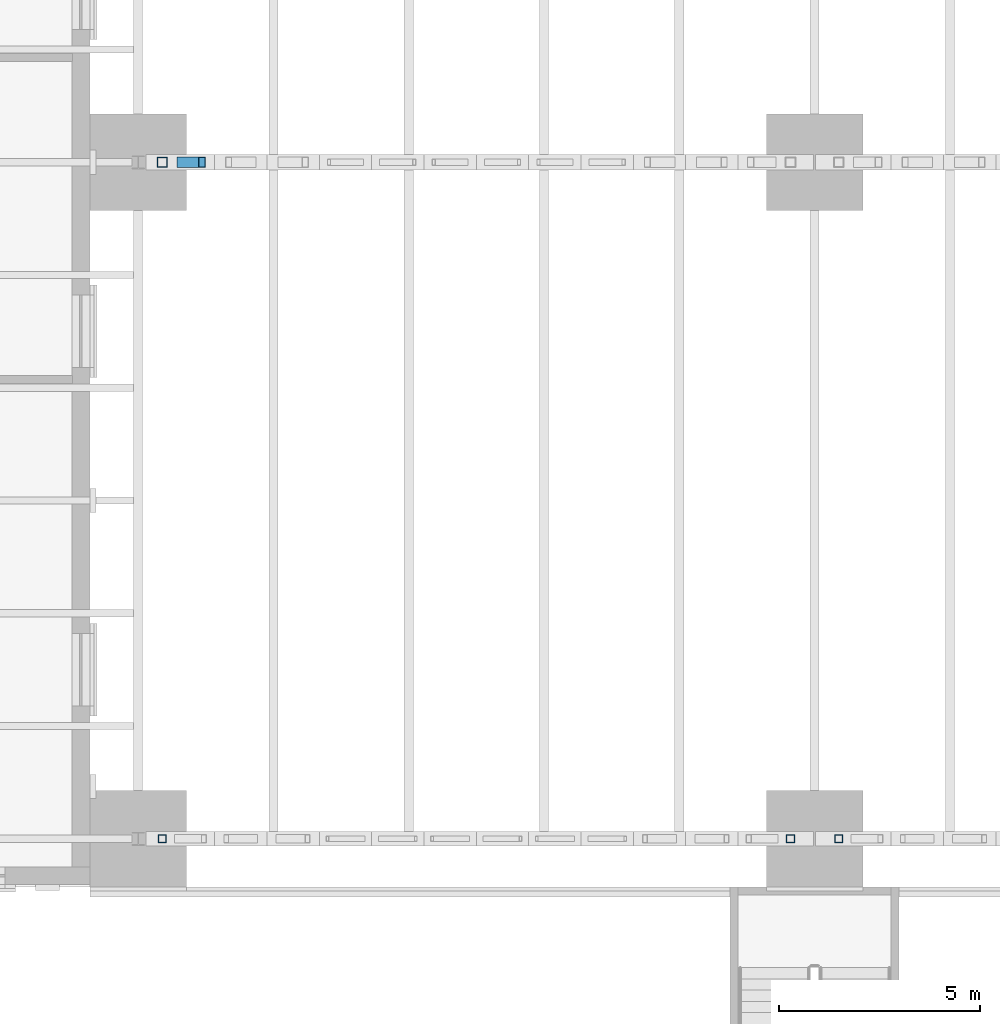
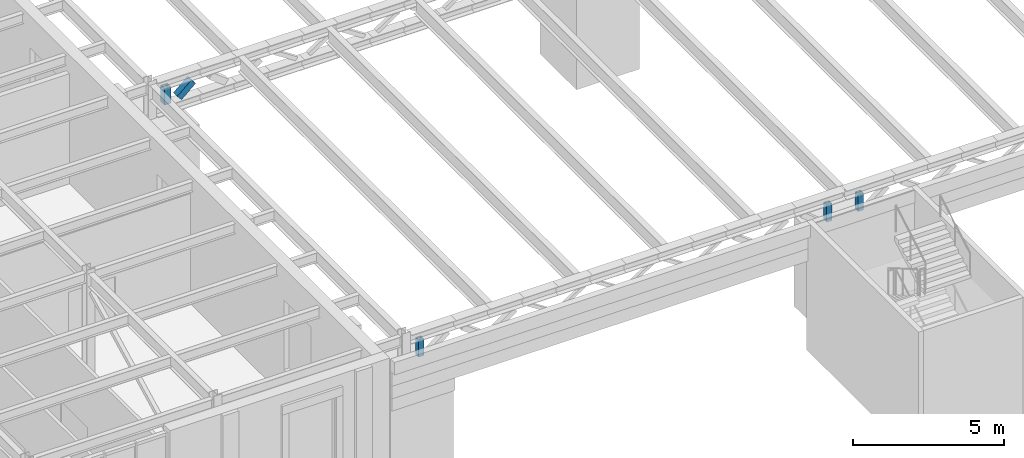
# One storey, part 39 of 93: 5 members.
"""IFC4 building model written with IfcOpenShell, lengths in metres."""

from ifc_helpers import new_model, si_unit, direction, frame, origin, origin_2d, place, context, subcontext, project, spatial, hollow_rectangle, extrude, material, material_profile, profile_set, type_object, element, save


model = new_model("IFC4")

# Units and contexts
model_context = context("Model", 3, precision=1e-05, world=origin(), true_north=direction((0.0, 1.0)))
body_context = subcontext(model_context, "Body", "Model", "MODEL_VIEW")
ifc_project = project(units=[si_unit("LENGTHUNIT", "METRE"), si_unit("AREAUNIT", "SQUARE_METRE"), si_unit("VOLUMEUNIT", "CUBIC_METRE"), si_unit("PLANEANGLEUNIT", "RADIAN"), si_unit("MASSUNIT", "GRAM", prefix="KILO")], contexts=[model_context])

# Site, building, storey
site_placement = place(None, origin())
site = spatial("IfcSite", under=ifc_project, at=site_placement, CompositionType="ELEMENT")
building_placement = place(site_placement, origin())
building = spatial("IfcBuilding", under=site, at=building_placement, Name="Verrick Yard Athletic Hall", CompositionType="ELEMENT")
storey_placement = place(building_placement, frame((0.0, 0.0, 8.800048828125)))
storey = spatial("IfcBuildingStorey", under=building, at=storey_placement, Name="L02", CompositionType="ELEMENT", Elevation=8.800048828125)

# Members
ifc_material = material(Name="Structural steel HSS Class C 350W (CSA G40.20/G40.21)", Category="steel")
ifc_material_profile_1 = material_profile(ifc_material, hollow_rectangle(XDim=0.203125, YDim=0.203125, WallThickness=0.0126953125, at=origin_2d()), Name="HSS203x203x13")
ifc_profile_set_1 = profile_set([ifc_material_profile_1], Name="Structural steel HSS Class C 350W (CSA G40.20/G40.21)")
member_type_1 = type_object("IfcMemberType", Name="STR Edge truss end post HSS203x203x13", PredefinedType="POST", material=ifc_profile_set_1)
for number, where, z_axis, x_axis, name in (
    (1, (40.60009765625, 19.199951171875, 4.005859375), (0.0, 0.0, 1.0), (1.0, 0.0, 0.0), "STR-TP-GA1-W"),
    (2, (56.199951171875, 19.199951171875, 4.005859375), (0.0, 0.0, 1.0), (1.0, 0.0, 0.0), "STR-TP-GA1-E"),
    (3, (57.39990234375, 19.199951171875, 4.005859375), (0.0, 0.0, 1.0), (1.0, 0.0, 0.0), "STR-TP-GA2-W"),
):
    element("IfcMember", number, at=place(storey_placement, frame(where, z_axis=z_axis, x_axis=x_axis)), inside=storey, type_object=member_type_1, Name=name, PredefinedType="POST", context=body_context, shape_type="SweptSolid", body=[
        extrude(hollow_rectangle(XDim=0.203125, YDim=0.203125, WallThickness=0.0126953125, at=origin_2d()), origin(), (0.0, 0.0, 1.0), 0.68798828125),
    ])
ifc_material_profile_2 = material_profile(ifc_material, hollow_rectangle(XDim=0.25390625, YDim=0.25390625, WallThickness=0.0126953125, at=origin_2d()), Name="HSS254x254x13")
ifc_profile_set_2 = profile_set([ifc_material_profile_2], Name="Structural steel HSS Class C 350W (CSA G40.20/G40.21)")
member_type_2 = type_object("IfcMemberType", Name="STR Truss end post HSS254x254x13", PredefinedType="POST", material=ifc_profile_set_2)
member_1_placement = place(storey_placement, frame((40.60009765625, 36.0, 4.02197265625), z_axis=(0.0, 0.0, 1.0), x_axis=(1.0, 0.0, 0.0)))
element("IfcMember", 4, at=member_1_placement, inside=storey, type_object=member_type_2, Name="STR-TP-GB1-W", PredefinedType="POST", context=body_context, shape_type="SweptSolid", body=[
    extrude(hollow_rectangle(XDim=0.25390625, YDim=0.25390625, WallThickness=0.0126953125, at=origin_2d()), origin(), (0.0, 0.0, 1.0), 0.656005859375),
])
ifc_material_profile_3 = material_profile(ifc_material, hollow_rectangle(XDim=0.25390625, YDim=0.25390625, WallThickness=0.0126953125, at=origin_2d()), Name="HSS254x254x13")
ifc_profile_set_3 = profile_set([ifc_material_profile_3], Name="Structural steel HSS Class C 350W (CSA G40.20/G40.21)")
member_type_3 = type_object("IfcMemberType", Name="STR Truss web HSS254x254x13", PredefinedType="BRACE", material=ifc_profile_set_3)
member_2_placement = place(storey_placement, frame((41.04443359375, 36.0, 4.117919921875), z_axis=(0.76014857208, 0.0, 0.649749296548), x_axis=(0.0, 1.0, 0.0)))
element("IfcMember", 5, at=member_2_placement, inside=storey, type_object=member_type_3, Name="STR-TW-GB1-1", PredefinedType="BRACE", context=body_context, shape_type="SweptSolid", body=[
    extrude(hollow_rectangle(XDim=0.25390625, YDim=0.25390625, WallThickness=0.0126953125, at=origin_2d()), origin(), (0.0, 0.0, 1.0), 0.71435546875),
])

save(model, "model.ifc")
